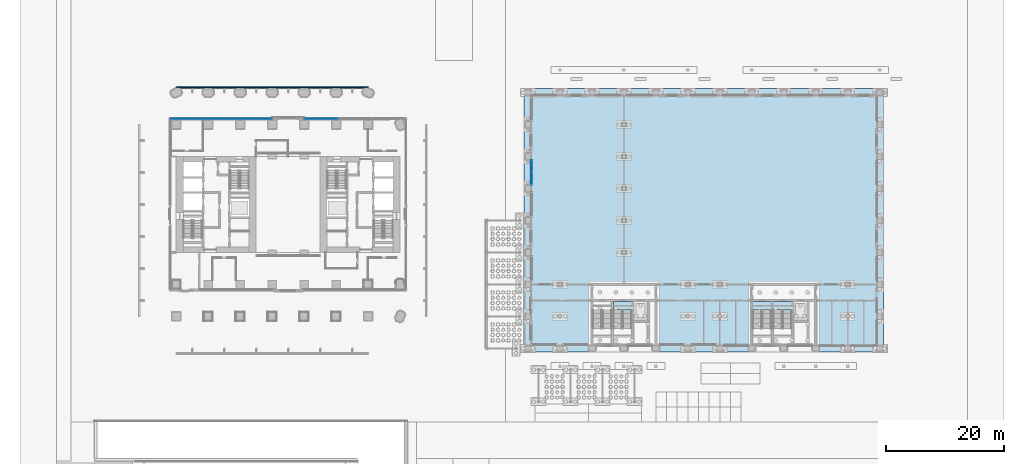
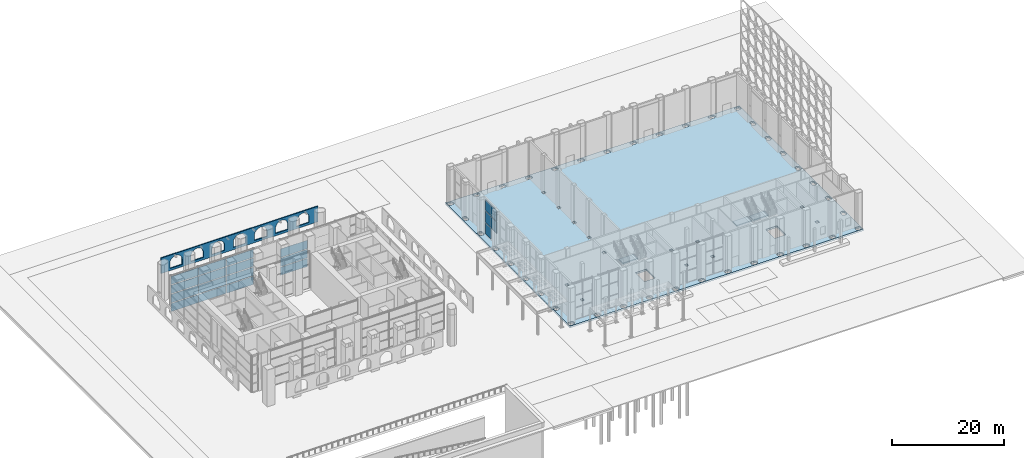
# One storey, part 25 of 54: 21 plates, 4 slabs, 6 elements without a shape of their own.
"""IFC4 building model written with IfcOpenShell, lengths in metres."""

from ifc_helpers import new_model, si_unit, direction, frame, origin, origin_2d, place, context, subcontext, project, spatial, polyline, rectangle, outline, extrude, material, layer, layer_set, type_object, element, aggregate, save


model = new_model("IFC4")

# Units and contexts
model_context = context("Model", 3, precision=1e-05, world=origin(), true_north=direction((0.0, 1.0)))
body_context = subcontext(model_context, "Body", "Model", "MODEL_VIEW")
ifc_project = project(units=[si_unit("LENGTHUNIT", "METRE"), si_unit("AREAUNIT", "SQUARE_METRE"), si_unit("VOLUMEUNIT", "CUBIC_METRE"), si_unit("PLANEANGLEUNIT", "RADIAN"), si_unit("MASSUNIT", "GRAM", prefix="KILO")], contexts=[model_context])

# Site, building, storey
site_placement = place(None, origin())
site = spatial("IfcSite", under=ifc_project, at=site_placement, CompositionType="ELEMENT")
building_placement = place(site_placement, origin())
building = spatial("IfcBuilding", under=site, at=building_placement, Name="Tabaq Tower and Sports Hall", CompositionType="ELEMENT")
storey_placement = place(building_placement, origin())
storey = spatial("IfcBuildingStorey", under=building, at=storey_placement, Name="L00", CompositionType="ELEMENT", Elevation=0.0)

# Curtain wall, plates
ifc_material_1 = material(Name="Aluminium alloy 6063-T6 framed glazing", Category="aluminium")
curtain_wall_type_1 = type_object("IfcCurtainWallType", Name="CW4 curtain wall", PredefinedType="USERDEFINED", material=ifc_material_1)
curtain_wall_1_placement = place(storey_placement, origin())
curtain_wall_1 = element("IfcCurtainWall", 1, at=curtain_wall_1_placement, inside=storey, type_object=curtain_wall_type_1, Name="Ground lobby wall N", ObjectType="GROUND LOBBY WALL", PredefinedType="USERDEFINED")
ifc_material_2 = material(Name="Clear low-emissivity glass 28 mm", Category="glass")
ifc_layer_1 = layer(ifc_material_2, 0.035888671875)
ifc_layer_set_1 = layer_set([ifc_layer_1], Name="CW4 glass panel 36")
plate_type_1 = type_object("IfcPlateType", Name="CW4 glass panel 36", PredefinedType="CURTAIN_PANEL", material=ifc_layer_set_1)
plate_1_placement = place(storey_placement, frame((7.28662109375, 38.800048828125, 0.16015625), z_axis=(0.0, 0.0, 1.0), x_axis=(1.0, 0.0, 0.0)))
plate_1 = element("IfcPlate", 2, at=plate_1_placement, type_object=plate_type_1, Name="CW4 panel 1.1", PredefinedType="CURTAIN_PANEL", context=body_context, shape_type="SweptSolid", body=[
    extrude(rectangle(XDim=5.61328125, YDim=0.035888671875, at=origin_2d()), origin(), (0.0, 0.0, 1.0), 1.760009765625),
])
plate_2_placement = place(storey_placement, frame((7.28662109375, 38.800048828125, 2.080078125), z_axis=(0.0, 0.0, 1.0), x_axis=(1.0, 0.0, 0.0)))
plate_2 = element("IfcPlate", 3, at=plate_2_placement, type_object=plate_type_1, Name="CW4 panel 1.2", PredefinedType="CURTAIN_PANEL", context=body_context, shape_type="SweptSolid", body=[
    extrude(rectangle(XDim=5.61328125, YDim=0.035888671875, at=origin_2d()), origin(), (0.0, 0.0, 1.0), 1.840087890625),
])
plate_3_placement = place(storey_placement, frame((7.28662109375, 38.800048828125, 4.080078125), z_axis=(0.0, 0.0, 1.0), x_axis=(1.0, 0.0, 0.0)))
plate_3 = element("IfcPlate", 4, at=plate_3_placement, type_object=plate_type_1, Name="CW4 panel 1.3", PredefinedType="CURTAIN_PANEL", context=body_context, shape_type="SweptSolid", body=[
    extrude(rectangle(XDim=5.61328125, YDim=0.035888671875, at=origin_2d()), origin(), (0.0, 0.0, 1.0), 1.840087890625),
])
plate_4_placement = place(storey_placement, frame((7.28662109375, 38.800048828125, 6.080078125), z_axis=(0.0, 0.0, 1.0), x_axis=(1.0, 0.0, 0.0)))
plate_4 = element("IfcPlate", 5, at=plate_4_placement, type_object=plate_type_1, Name="CW4 panel 1.4", PredefinedType="CURTAIN_PANEL", context=body_context, shape_type="SweptSolid", body=[
    extrude(rectangle(XDim=5.61328125, YDim=0.035888671875, at=origin_2d()), origin(), (0.0, 0.0, 1.0), 1.760009765625),
])
plate_5_placement = place(storey_placement, frame((13.0, 38.800048828125, 0.16015625), z_axis=(0.0, 0.0, 1.0), x_axis=(1.0, 0.0, 0.0)))
plate_5 = element("IfcPlate", 6, at=plate_5_placement, type_object=plate_type_1, Name="CW4 panel 2.1", PredefinedType="CURTAIN_PANEL", context=body_context, shape_type="SweptSolid", body=[
    extrude(rectangle(XDim=5.6533203125, YDim=0.035888671875, at=origin_2d()), origin(), (0.0, 0.0, 1.0), 1.760009765625),
])
plate_6_placement = place(storey_placement, frame((13.0, 38.800048828125, 2.080078125), z_axis=(0.0, 0.0, 1.0), x_axis=(1.0, 0.0, 0.0)))
plate_6 = element("IfcPlate", 7, at=plate_6_placement, type_object=plate_type_1, Name="CW4 panel 2.2", PredefinedType="CURTAIN_PANEL", context=body_context, shape_type="SweptSolid", body=[
    extrude(rectangle(XDim=5.6533203125, YDim=0.035888671875, at=origin_2d()), origin(), (0.0, 0.0, 1.0), 1.840087890625),
])
plate_7_placement = place(storey_placement, frame((13.0, 38.800048828125, 4.080078125), z_axis=(0.0, 0.0, 1.0), x_axis=(1.0, 0.0, 0.0)))
plate_7 = element("IfcPlate", 8, at=plate_7_placement, type_object=plate_type_1, Name="CW4 panel 2.3", PredefinedType="CURTAIN_PANEL", context=body_context, shape_type="SweptSolid", body=[
    extrude(rectangle(XDim=5.6533203125, YDim=0.035888671875, at=origin_2d()), origin(), (0.0, 0.0, 1.0), 1.840087890625),
])
plate_8_placement = place(storey_placement, frame((13.0, 38.800048828125, 6.080078125), z_axis=(0.0, 0.0, 1.0), x_axis=(1.0, 0.0, 0.0)))
plate_8 = element("IfcPlate", 9, at=plate_8_placement, type_object=plate_type_1, Name="CW4 panel 2.4", PredefinedType="CURTAIN_PANEL", context=body_context, shape_type="SweptSolid", body=[
    extrude(rectangle(XDim=5.6533203125, YDim=0.035888671875, at=origin_2d()), origin(), (0.0, 0.0, 1.0), 1.760009765625),
])
plate_9_placement = place(storey_placement, frame((18.71337890625, 38.800048828125, 0.16015625), z_axis=(0.0, 0.0, 1.0), x_axis=(1.0, 0.0, 0.0)))
plate_9 = element("IfcPlate", 10, at=plate_9_placement, type_object=plate_type_1, Name="CW4 panel 3.1", PredefinedType="CURTAIN_PANEL", context=body_context, shape_type="SweptSolid", body=[
    extrude(rectangle(XDim=5.61328125, YDim=0.035888671875, at=origin_2d()), origin(), (0.0, 0.0, 1.0), 1.760009765625),
])
plate_10_placement = place(storey_placement, frame((18.71337890625, 38.800048828125, 2.080078125), z_axis=(0.0, 0.0, 1.0), x_axis=(1.0, 0.0, 0.0)))
plate_10 = element("IfcPlate", 11, at=plate_10_placement, type_object=plate_type_1, Name="CW4 panel 3.2", PredefinedType="CURTAIN_PANEL", context=body_context, shape_type="SweptSolid", body=[
    extrude(rectangle(XDim=5.61328125, YDim=0.035888671875, at=origin_2d()), origin(), (0.0, 0.0, 1.0), 1.840087890625),
])
plate_11_placement = place(storey_placement, frame((18.71337890625, 38.800048828125, 4.080078125), z_axis=(0.0, 0.0, 1.0), x_axis=(1.0, 0.0, 0.0)))
plate_11 = element("IfcPlate", 12, at=plate_11_placement, type_object=plate_type_1, Name="CW4 panel 3.3", PredefinedType="CURTAIN_PANEL", context=body_context, shape_type="SweptSolid", body=[
    extrude(rectangle(XDim=5.61328125, YDim=0.035888671875, at=origin_2d()), origin(), (0.0, 0.0, 1.0), 1.840087890625),
])
plate_12_placement = place(storey_placement, frame((18.71337890625, 38.800048828125, 6.080078125), z_axis=(0.0, 0.0, 1.0), x_axis=(1.0, 0.0, 0.0)))
plate_12 = element("IfcPlate", 13, at=plate_12_placement, type_object=plate_type_1, Name="CW4 panel 3.4", PredefinedType="CURTAIN_PANEL", context=body_context, shape_type="SweptSolid", body=[
    extrude(rectangle(XDim=5.61328125, YDim=0.035888671875, at=origin_2d()), origin(), (0.0, 0.0, 1.0), 1.760009765625),
])
aggregate(curtain_wall_1, [plate_1, plate_2, plate_3, plate_4, plate_5, plate_6, plate_7, plate_8, plate_9, plate_10, plate_11, plate_12])

curtain_wall_2_placement = place(storey_placement, origin())
curtain_wall_2 = element("IfcCurtainWall", 14, at=curtain_wall_2_placement, inside=storey, type_object=curtain_wall_type_1, Name="Ground lobby wall N", ObjectType="GROUND LOBBY WALL", PredefinedType="USERDEFINED")
plate_13_placement = place(storey_placement, frame((29.88671875, 38.800048828125, 0.16015625), z_axis=(0.0, 0.0, 1.0), x_axis=(1.0, 0.0, 0.0)))
plate_13 = element("IfcPlate", 15, at=plate_13_placement, type_object=plate_type_1, Name="CW4 panel 1.1", PredefinedType="CURTAIN_PANEL", context=body_context, shape_type="SweptSolid", body=[
    extrude(rectangle(XDim=5.61328125, YDim=0.035888671875, at=origin_2d()), origin(), (0.0, 0.0, 1.0), 1.760009765625),
])
plate_14_placement = place(storey_placement, frame((29.88671875, 38.800048828125, 2.080078125), z_axis=(0.0, 0.0, 1.0), x_axis=(1.0, 0.0, 0.0)))
plate_14 = element("IfcPlate", 16, at=plate_14_placement, type_object=plate_type_1, Name="CW4 panel 1.2", PredefinedType="CURTAIN_PANEL", context=body_context, shape_type="SweptSolid", body=[
    extrude(rectangle(XDim=5.61328125, YDim=0.035888671875, at=origin_2d()), origin(), (0.0, 0.0, 1.0), 1.840087890625),
])
plate_15_placement = place(storey_placement, frame((29.88671875, 38.800048828125, 4.080078125), z_axis=(0.0, 0.0, 1.0), x_axis=(1.0, 0.0, 0.0)))
plate_15 = element("IfcPlate", 17, at=plate_15_placement, type_object=plate_type_1, Name="CW4 panel 1.3", PredefinedType="CURTAIN_PANEL", context=body_context, shape_type="SweptSolid", body=[
    extrude(rectangle(XDim=5.61328125, YDim=0.035888671875, at=origin_2d()), origin(), (0.0, 0.0, 1.0), 1.840087890625),
])
aggregate(curtain_wall_2, [plate_13, plate_14, plate_15])

ifc_material_3 = material(Name="Aluminium alloy 6063-T6 framed glazing", Category="aluminium")
curtain_wall_type_2 = type_object("IfcCurtainWallType", Name="CW6 curtain wall", PredefinedType="USERDEFINED", material=ifc_material_3)
curtain_wall_3_placement = place(storey_placement, origin())
curtain_wall_3 = element("IfcCurtainWall", 18, at=curtain_wall_3_placement, inside=storey, type_object=curtain_wall_type_2, Name="L00 W hall glazing run", ObjectType="HALL FACADE WALL", PredefinedType="USERDEFINED")
ifc_material_4 = material(Name="Clear low-emissivity glass 28 mm", Category="glass")
ifc_layer_2 = layer(ifc_material_4, 0.031982421875)
ifc_layer_set_2 = layer_set([ifc_layer_2], Name="CW6 glass panel 32")
plate_type_2 = type_object("IfcPlateType", Name="CW6 glass panel 32", PredefinedType="CURTAIN_PANEL", material=ifc_layer_set_2)
plate_16_placement = place(storey_placement, frame((65.39990234375, 28.66748046875, 2.679931640625), z_axis=(0.0, 0.0, 1.0), x_axis=(0.0, 1.0, 0.0)))
plate_16 = element("IfcPlate", 19, at=plate_16_placement, type_object=plate_type_2, Name="CW6 panel 1.2", PredefinedType="CURTAIN_PANEL", context=body_context, shape_type="SweptSolid", body=[
    extrude(rectangle(XDim=1.9951171875, YDim=0.031982421875, at=origin_2d()), origin(), (0.0, 0.0, 1.0), 2.43994140625),
])
plate_17_placement = place(storey_placement, frame((65.39990234375, 28.66748046875, 5.27978515625), z_axis=(0.0, 0.0, 1.0), x_axis=(0.0, 1.0, 0.0)))
plate_17 = element("IfcPlate", 20, at=plate_17_placement, type_object=plate_type_2, Name="CW6 panel 1.3", PredefinedType="CURTAIN_PANEL", context=body_context, shape_type="SweptSolid", body=[
    extrude(rectangle(XDim=1.9951171875, YDim=0.031982421875, at=origin_2d()), origin(), (0.0, 0.0, 1.0), 2.360107421875),
])
plate_18_placement = place(storey_placement, frame((65.39990234375, 30.732421875, 0.16015625), z_axis=(0.0, 0.0, 1.0), x_axis=(0.0, 1.0, 0.0)))
plate_18 = element("IfcPlate", 21, at=plate_18_placement, type_object=plate_type_2, Name="CW6 panel 2.1", PredefinedType="CURTAIN_PANEL", context=body_context, shape_type="SweptSolid", body=[
    extrude(rectangle(XDim=1.9951171875, YDim=0.031982421875, at=origin_2d()), origin(), (0.0, 0.0, 1.0), 2.360107421875),
])
plate_19_placement = place(storey_placement, frame((65.39990234375, 30.732421875, 2.679931640625), z_axis=(0.0, 0.0, 1.0), x_axis=(0.0, 1.0, 0.0)))
plate_19 = element("IfcPlate", 22, at=plate_19_placement, type_object=plate_type_2, Name="CW6 panel 2.2", PredefinedType="CURTAIN_PANEL", context=body_context, shape_type="SweptSolid", body=[
    extrude(rectangle(XDim=1.9951171875, YDim=0.031982421875, at=origin_2d()), origin(), (0.0, 0.0, 1.0), 2.43994140625),
])
plate_20_placement = place(storey_placement, frame((65.39990234375, 30.732421875, 5.27978515625), z_axis=(0.0, 0.0, 1.0), x_axis=(0.0, 1.0, 0.0)))
plate_20 = element("IfcPlate", 23, at=plate_20_placement, type_object=plate_type_2, Name="CW6 panel 2.3", PredefinedType="CURTAIN_PANEL", context=body_context, shape_type="SweptSolid", body=[
    extrude(rectangle(XDim=1.9951171875, YDim=0.031982421875, at=origin_2d()), origin(), (0.0, 0.0, 1.0), 2.360107421875),
])
aggregate(curtain_wall_3, [plate_16, plate_17, plate_18, plate_19, plate_20])

# Slab
ifc_material_5 = material(Name="Concrete C40/50", Category="concrete")
ifc_layer_3 = layer(ifc_material_5, 0.39990234375)
ifc_layer_set_3 = layer_set([ifc_layer_3], Name="HALL GROUND SLAB 400 C40/50")
slab_type_1 = type_object("IfcSlabType", Name="HALL GROUND SLAB 400 C40/50", PredefinedType="BASESLAB", material=ifc_layer_set_3)
slab_1_placement = place(storey_placement, frame((0.0, 0.0, -0.39990234375)))
element("IfcSlab", 24, at=slab_1_placement, inside=storey, type_object=slab_type_1, Name="Ground floor slab on grade", PredefinedType="BASESLAB", context=body_context, shape_type="SweptSolid", body=[
    extrude(outline(polyline([(64.14990234375, -0.64990234375), (124.85009765625, -0.64990234375), (124.85009765625, 43.85009765625), (64.14990234375, 43.85009765625), (64.14990234375, -0.64990234375)]), holes=[polyline([(64.39990234375, -0.449951171875), (65.199951171875, -0.449951171875), (65.39990234375, -0.25), (65.39990234375, 0.25), (65.199951171875, 0.449951171875), (64.39990234375, 0.449951171875), (64.199951171875, 0.25), (64.199951171875, -0.25), (64.39990234375, -0.449951171875)]), polyline([(65.25, 5.0), (65.25, 5.800048828125), (65.050048828125, 6.0), (64.550048828125, 6.0), (64.35009765625, 5.800048828125), (64.35009765625, 5.0), (64.550048828125, 4.800048828125), (65.050048828125, 4.800048828125), (65.25, 5.0)]), polyline([(65.25, 10.39990234375), (65.25, 11.199951171875), (65.050048828125, 11.39990234375), (64.550048828125, 11.39990234375), (64.35009765625, 11.199951171875), (64.35009765625, 10.39990234375), (64.550048828125, 10.199951171875), (65.050048828125, 10.199951171875), (65.25, 10.39990234375)]), polyline([(65.25, 15.800048828125), (65.25, 16.60009765625), (65.050048828125, 16.800048828125), (64.550048828125, 16.800048828125), (64.35009765625, 16.60009765625), (64.35009765625, 15.800048828125), (64.550048828125, 15.60009765625), (65.050048828125, 15.60009765625), (65.25, 15.800048828125)]), polyline([(65.25, 21.199951171875), (65.25, 22.0), (65.050048828125, 22.199951171875), (64.550048828125, 22.199951171875), (64.35009765625, 22.0), (64.35009765625, 21.199951171875), (64.550048828125, 21.0), (65.050048828125, 21.0), (65.25, 21.199951171875)]), polyline([(65.25, 26.60009765625), (65.25, 27.39990234375), (65.050048828125, 27.60009765625), (64.550048828125, 27.60009765625), (64.35009765625, 27.39990234375), (64.35009765625, 26.60009765625), (64.550048828125, 26.39990234375), (65.050048828125, 26.39990234375), (65.25, 26.60009765625)]), polyline([(65.25, 32.0), (65.25, 32.800048828125), (65.050048828125, 33.0), (64.550048828125, 33.0), (64.35009765625, 32.800048828125), (64.35009765625, 32.0), (64.550048828125, 31.800048828125), (65.050048828125, 31.800048828125), (65.25, 32.0)]), polyline([(65.25, 37.39990234375), (65.25, 38.199951171875), (65.050048828125, 38.39990234375), (64.550048828125, 38.39990234375), (64.35009765625, 38.199951171875), (64.35009765625, 37.39990234375), (64.550048828125, 37.199951171875), (65.050048828125, 37.199951171875), (65.25, 37.39990234375)]), polyline([(64.39990234375, 42.75), (65.199951171875, 42.75), (65.39990234375, 42.949951171875), (65.39990234375, 43.449951171875), (65.199951171875, 43.64990234375), (64.39990234375, 43.64990234375), (64.199951171875, 43.449951171875), (64.199951171875, 42.949951171875), (64.39990234375, 42.75)]), polyline([(69.800048828125, -0.449951171875), (70.60009765625, -0.449951171875), (70.800048828125, -0.25), (70.800048828125, 0.25), (70.60009765625, 0.449951171875), (69.800048828125, 0.449951171875), (69.60009765625, 0.25), (69.60009765625, -0.25), (69.800048828125, -0.449951171875)]), polyline([(69.89990234375, 5.10009765625), (70.5, 5.10009765625), (70.5, 5.699951171875), (69.89990234375, 5.699951171875), (69.89990234375, 5.10009765625)]), polyline([(69.89990234375, 10.5), (70.5, 10.5), (70.5, 11.10009765625), (69.89990234375, 11.10009765625), (69.89990234375, 10.5)]), polyline([(69.800048828125, 42.75), (70.60009765625, 42.75), (70.800048828125, 42.949951171875), (70.800048828125, 43.449951171875), (70.60009765625, 43.64990234375), (69.800048828125, 43.64990234375), (69.60009765625, 43.449951171875), (69.60009765625, 42.949951171875), (69.800048828125, 42.75)]), polyline([(75.199951171875, -0.449951171875), (76.0, -0.449951171875), (76.199951171875, -0.25), (76.199951171875, 0.25), (76.0, 0.449951171875), (75.199951171875, 0.449951171875), (75.0, 0.25), (75.0, -0.25), (75.199951171875, -0.449951171875)]), polyline([(75.199951171875, 42.75), (76.0, 42.75), (76.199951171875, 42.949951171875), (76.199951171875, 43.449951171875), (76.0, 43.64990234375), (75.199951171875, 43.64990234375), (75.0, 43.449951171875), (75.0, 42.949951171875), (75.199951171875, 42.75)]), polyline([(80.60009765625, -0.449951171875), (81.39990234375, -0.449951171875), (81.60009765625, -0.25), (81.60009765625, 0.25), (81.39990234375, 0.449951171875), (80.60009765625, 0.449951171875), (80.39990234375, 0.25), (80.39990234375, -0.25), (80.60009765625, -0.449951171875)]), polyline([(80.699951171875, 15.89990234375), (81.300048828125, 15.89990234375), (81.300048828125, 16.5), (80.699951171875, 16.5), (80.699951171875, 15.89990234375)]), polyline([(80.699951171875, 21.300048828125), (81.300048828125, 21.300048828125), (81.300048828125, 21.89990234375), (80.699951171875, 21.89990234375), (80.699951171875, 21.300048828125)]), polyline([(80.699951171875, 26.699951171875), (81.300048828125, 26.699951171875), (81.300048828125, 27.300048828125), (80.699951171875, 27.300048828125), (80.699951171875, 26.699951171875)]), polyline([(80.699951171875, 32.10009765625), (81.300048828125, 32.10009765625), (81.300048828125, 32.699951171875), (80.699951171875, 32.699951171875), (80.699951171875, 32.10009765625)]), polyline([(80.699951171875, 37.5), (81.300048828125, 37.5), (81.300048828125, 38.10009765625), (80.699951171875, 38.10009765625), (80.699951171875, 37.5)]), polyline([(80.60009765625, 42.75), (81.39990234375, 42.75), (81.60009765625, 42.949951171875), (81.60009765625, 43.449951171875), (81.39990234375, 43.64990234375), (80.60009765625, 43.64990234375), (80.39990234375, 43.449951171875), (80.39990234375, 42.949951171875), (80.60009765625, 42.75)]), polyline([(86.0, -0.449951171875), (86.800048828125, -0.449951171875), (87.0, -0.25), (87.0, 0.25), (86.800048828125, 0.449951171875), (86.0, 0.449951171875), (85.800048828125, 0.25), (85.800048828125, -0.25), (86.0, -0.449951171875)]), polyline([(86.0, 42.75), (86.800048828125, 42.75), (87.0, 42.949951171875), (87.0, 43.449951171875), (86.800048828125, 43.64990234375), (86.0, 43.64990234375), (85.800048828125, 43.449951171875), (85.800048828125, 42.949951171875), (86.0, 42.75)]), polyline([(91.39990234375, -0.449951171875), (92.199951171875, -0.449951171875), (92.39990234375, -0.25), (92.39990234375, 0.25), (92.199951171875, 0.449951171875), (91.39990234375, 0.449951171875), (91.199951171875, 0.25), (91.199951171875, -0.25), (91.39990234375, -0.449951171875)]), polyline([(91.5, 5.10009765625), (92.10009765625, 5.10009765625), (92.10009765625, 5.699951171875), (91.5, 5.699951171875), (91.5, 5.10009765625)]), polyline([(91.5, 10.5), (92.10009765625, 10.5), (92.10009765625, 11.10009765625), (91.5, 11.10009765625), (91.5, 10.5)]), polyline([(91.39990234375, 42.75), (92.199951171875, 42.75), (92.39990234375, 42.949951171875), (92.39990234375, 43.449951171875), (92.199951171875, 43.64990234375), (91.39990234375, 43.64990234375), (91.199951171875, 43.449951171875), (91.199951171875, 42.949951171875), (91.39990234375, 42.75)]), polyline([(96.800048828125, -0.449951171875), (97.60009765625, -0.449951171875), (97.800048828125, -0.25), (97.800048828125, 0.25), (97.60009765625, 0.449951171875), (96.800048828125, 0.449951171875), (96.60009765625, 0.25), (96.60009765625, -0.25), (96.800048828125, -0.449951171875)]), polyline([(96.89990234375, 5.10009765625), (97.5, 5.10009765625), (97.5, 5.699951171875), (96.89990234375, 5.699951171875), (96.89990234375, 5.10009765625)]), polyline([(96.89990234375, 10.5), (97.5, 10.5), (97.5, 11.10009765625), (96.89990234375, 11.10009765625), (96.89990234375, 10.5)]), polyline([(96.800048828125, 42.75), (97.60009765625, 42.75), (97.800048828125, 42.949951171875), (97.800048828125, 43.449951171875), (97.60009765625, 43.64990234375), (96.800048828125, 43.64990234375), (96.60009765625, 43.449951171875), (96.60009765625, 42.949951171875), (96.800048828125, 42.75)]), polyline([(102.199951171875, -0.449951171875), (103.0, -0.449951171875), (103.199951171875, -0.25), (103.199951171875, 0.25), (103.0, 0.449951171875), (102.199951171875, 0.449951171875), (102.0, 0.25), (102.0, -0.25), (102.199951171875, -0.449951171875)]), polyline([(102.199951171875, 42.75), (103.0, 42.75), (103.199951171875, 42.949951171875), (103.199951171875, 43.449951171875), (103.0, 43.64990234375), (102.199951171875, 43.64990234375), (102.0, 43.449951171875), (102.0, 42.949951171875), (102.199951171875, 42.75)]), polyline([(107.60009765625, -0.449951171875), (108.39990234375, -0.449951171875), (108.60009765625, -0.25), (108.60009765625, 0.25), (108.39990234375, 0.449951171875), (107.60009765625, 0.449951171875), (107.39990234375, 0.25), (107.39990234375, -0.25), (107.60009765625, -0.449951171875)]), polyline([(107.60009765625, 42.75), (108.39990234375, 42.75), (108.60009765625, 42.949951171875), (108.60009765625, 43.449951171875), (108.39990234375, 43.64990234375), (107.60009765625, 43.64990234375), (107.39990234375, 43.449951171875), (107.39990234375, 42.949951171875), (107.60009765625, 42.75)]), polyline([(113.0, -0.449951171875), (113.800048828125, -0.449951171875), (114.0, -0.25), (114.0, 0.25), (113.800048828125, 0.449951171875), (113.0, 0.449951171875), (112.800048828125, 0.25), (112.800048828125, -0.25), (113.0, -0.449951171875)]), polyline([(113.0, 42.75), (113.800048828125, 42.75), (114.0, 42.949951171875), (114.0, 43.449951171875), (113.800048828125, 43.64990234375), (113.0, 43.64990234375), (112.800048828125, 43.449951171875), (112.800048828125, 42.949951171875), (113.0, 42.75)]), polyline([(118.39990234375, -0.449951171875), (119.199951171875, -0.449951171875), (119.39990234375, -0.25), (119.39990234375, 0.25), (119.199951171875, 0.449951171875), (118.39990234375, 0.449951171875), (118.199951171875, 0.25), (118.199951171875, -0.25), (118.39990234375, -0.449951171875)]), polyline([(118.5, 5.10009765625), (119.10009765625, 5.10009765625), (119.10009765625, 5.699951171875), (118.5, 5.699951171875), (118.5, 5.10009765625)]), polyline([(118.5, 10.5), (119.10009765625, 10.5), (119.10009765625, 11.10009765625), (118.5, 11.10009765625), (118.5, 10.5)]), polyline([(118.39990234375, 42.75), (119.199951171875, 42.75), (119.39990234375, 42.949951171875), (119.39990234375, 43.449951171875), (119.199951171875, 43.64990234375), (118.39990234375, 43.64990234375), (118.199951171875, 43.449951171875), (118.199951171875, 42.949951171875), (118.39990234375, 42.75)]), polyline([(123.800048828125, -0.449951171875), (124.60009765625, -0.449951171875), (124.800048828125, -0.25), (124.800048828125, 0.25), (124.60009765625, 0.449951171875), (123.800048828125, 0.449951171875), (123.60009765625, 0.25), (123.60009765625, -0.25), (123.800048828125, -0.449951171875)]), polyline([(124.64990234375, 5.0), (124.64990234375, 5.800048828125), (124.449951171875, 6.0), (123.949951171875, 6.0), (123.75, 5.800048828125), (123.75, 5.0), (123.949951171875, 4.800048828125), (124.449951171875, 4.800048828125), (124.64990234375, 5.0)]), polyline([(124.64990234375, 10.39990234375), (124.64990234375, 11.199951171875), (124.449951171875, 11.39990234375), (123.949951171875, 11.39990234375), (123.75, 11.199951171875), (123.75, 10.39990234375), (123.949951171875, 10.199951171875), (124.449951171875, 10.199951171875), (124.64990234375, 10.39990234375)]), polyline([(124.64990234375, 15.800048828125), (124.64990234375, 16.60009765625), (124.449951171875, 16.800048828125), (123.949951171875, 16.800048828125), (123.75, 16.60009765625), (123.75, 15.800048828125), (123.949951171875, 15.60009765625), (124.449951171875, 15.60009765625), (124.64990234375, 15.800048828125)]), polyline([(124.64990234375, 21.199951171875), (124.64990234375, 22.0), (124.449951171875, 22.199951171875), (123.949951171875, 22.199951171875), (123.75, 22.0), (123.75, 21.199951171875), (123.949951171875, 21.0), (124.449951171875, 21.0), (124.64990234375, 21.199951171875)]), polyline([(124.64990234375, 26.60009765625), (124.64990234375, 27.39990234375), (124.449951171875, 27.60009765625), (123.949951171875, 27.60009765625), (123.75, 27.39990234375), (123.75, 26.60009765625), (123.949951171875, 26.39990234375), (124.449951171875, 26.39990234375), (124.64990234375, 26.60009765625)]), polyline([(124.64990234375, 32.0), (124.64990234375, 32.800048828125), (124.449951171875, 33.0), (123.949951171875, 33.0), (123.75, 32.800048828125), (123.75, 32.0), (123.949951171875, 31.800048828125), (124.449951171875, 31.800048828125), (124.64990234375, 32.0)]), polyline([(124.64990234375, 37.39990234375), (124.64990234375, 38.199951171875), (124.449951171875, 38.39990234375), (123.949951171875, 38.39990234375), (123.75, 38.199951171875), (123.75, 37.39990234375), (123.949951171875, 37.199951171875), (124.449951171875, 37.199951171875), (124.64990234375, 37.39990234375)]), polyline([(123.800048828125, 42.75), (124.60009765625, 42.75), (124.800048828125, 42.949951171875), (124.800048828125, 43.449951171875), (124.60009765625, 43.64990234375), (123.800048828125, 43.64990234375), (123.60009765625, 43.449951171875), (123.60009765625, 42.949951171875), (123.800048828125, 42.75)]), polyline([(82.64990234375, 4.75), (84.949951171875, 4.75), (84.949951171875, 7.949951171875), (82.64990234375, 7.949951171875), (82.64990234375, 4.75)]), polyline([(109.64990234375, 4.75), (111.949951171875, 4.75), (111.949951171875, 7.949951171875), (109.64990234375, 7.949951171875), (109.64990234375, 4.75)])]), origin(), (0.0, 0.0, 1.0), 0.39990234375),
])

# Stair, slab
ifc_material_6 = material(Name="Concrete C40/50", Category="concrete")
stair_type = type_object("IfcStairType", Name="HALL STAIR HALF-TURN", PredefinedType="HALF_TURN_STAIR", material=ifc_material_6)
stair_1_placement = place(storey_placement, origin())
stair_1 = element("IfcStair", 25, at=stair_1_placement, inside=storey, type_object=stair_type, Name="L00 Stair H2", PredefinedType="HALF_TURN_STAIR")
ifc_material_7 = material(Name="Concrete C40/50", Category="concrete")
ifc_layer_4 = layer(ifc_material_7, 0.199951171875)
ifc_layer_set_4 = layer_set([ifc_layer_4], Name="HALL STAIR LANDING 200")
slab_type_2 = type_object("IfcSlabType", Name="HALL STAIR LANDING 200", PredefinedType="LANDING", material=ifc_layer_set_4)
slab_2_placement = place(storey_placement, frame((0.0, 0.0, 4.0)))
slab_2 = element("IfcSlab", 26, at=slab_2_placement, type_object=slab_type_2, Name="ST-H2 landing 2", PredefinedType="LANDING", context=body_context, shape_type="SweptSolid", body=[
    extrude(outline(polyline([(79.199951171875, 7.949951171875), (79.199951171875, 6.449951171875), (82.35009765625, 6.449951171875), (82.35009765625, 7.949951171875), (79.199951171875, 7.949951171875)])), origin(), (0.0, 0.0, 1.0), 0.199951171875),
])
aggregate(stair_1, [slab_2])

stair_2_placement = place(storey_placement, origin())
stair_2 = element("IfcStair", 27, at=stair_2_placement, inside=storey, type_object=stair_type, Name="L00 Stair H3", PredefinedType="HALF_TURN_STAIR")
slab_3_placement = place(storey_placement, frame((0.0, 0.0, 4.0)))
slab_3 = element("IfcSlab", 28, at=slab_3_placement, type_object=slab_type_2, Name="ST-H3 landing 2", PredefinedType="LANDING", context=body_context, shape_type="SweptSolid", body=[
    extrude(outline(polyline([(102.75, 7.949951171875), (102.75, 6.449951171875), (105.89990234375, 6.449951171875), (105.89990234375, 7.949951171875), (102.75, 7.949951171875)])), origin(), (0.0, 0.0, 1.0), 0.199951171875),
])
aggregate(stair_2, [slab_3])

stair_3_placement = place(storey_placement, origin())
stair_3 = element("IfcStair", 29, at=stair_3_placement, inside=storey, type_object=stair_type, Name="L00 Stair H4", PredefinedType="HALF_TURN_STAIR")
slab_4_placement = place(storey_placement, frame((0.0, 0.0, 4.0)))
slab_4 = element("IfcSlab", 30, at=slab_4_placement, type_object=slab_type_2, Name="ST-H4 landing 2", PredefinedType="LANDING", context=body_context, shape_type="SweptSolid", body=[
    extrude(outline(polyline([(106.199951171875, 7.949951171875), (106.199951171875, 6.449951171875), (109.35009765625, 6.449951171875), (109.35009765625, 7.949951171875), (106.199951171875, 7.949951171875)])), origin(), (0.0, 0.0, 1.0), 0.199951171875),
])
aggregate(stair_3, [slab_4])

# Plate
ifc_material_8 = material(Name="White precast concrete C60/75 pierced screen", Category="concrete")
ifc_layer_5 = layer(ifc_material_8, 0.199951171875)
ifc_layer_set_5 = layer_set([ifc_layer_5], Name="White precast concrete C60/75 arcade screen 200")
plate_type_3 = type_object("IfcPlateType", Name="White precast concrete C60/75 arcade screen 200", PredefinedType="USERDEFINED", material=ifc_layer_set_5)
plate_21_placement = place(storey_placement, frame((37.800048828125, 44.050048828125, 5.0), z_axis=(0.0, 0.0, 1.0), x_axis=(-1.0, 0.0, 0.0)))
element("IfcPlate", 31, at=plate_21_placement, inside=storey, type_object=plate_type_3, Name="Arcade screen N", ObjectType="SCREEN", PredefinedType="USERDEFINED", context=body_context, shape_type="SweptSolid", body=[
    extrude(outline(polyline([(0.0, 0.0), (32.400146484375, 0.0), (32.400146484375, 3.39990234375), (0.0, 3.39990234375), (0.0, 0.0)]), holes=[polyline([(1.800048828125, 0.5), (4.371337890625, 0.5), (4.371337890625, 1.60009765625), (4.34716796875, 1.859375), (4.275634765625, 2.10986328125), (4.158935546875, 2.343017578125), (4.001220703125, 2.55029296875), (3.807861328125, 2.72509765625), (3.585693359375, 2.861328125), (3.34228515625, 2.953857421875), (3.085693359375, 3.0), (2.829345703125, 2.953857421875), (2.585693359375, 2.861328125), (2.363525390625, 2.72509765625), (2.170166015625, 2.55029296875), (2.012451171875, 2.343017578125), (1.895751953125, 2.10986328125), (1.82421875, 1.859375), (1.800048828125, 1.60009765625), (1.800048828125, 0.5)]), polyline([(6.17138671875, 0.5), (8.742919921875, 0.5), (8.742919921875, 1.60009765625), (8.71875, 1.859375), (8.64697265625, 2.10986328125), (8.5302734375, 2.343017578125), (8.37255859375, 2.55029296875), (8.179443359375, 2.72509765625), (7.95703125, 2.861328125), (7.713623046875, 2.953857421875), (7.45703125, 3.0), (7.20068359375, 2.953857421875), (6.95703125, 2.861328125), (6.73486328125, 2.72509765625), (6.54150390625, 2.55029296875), (6.384033203125, 2.343017578125), (6.267333984375, 2.10986328125), (6.195556640625, 1.859375), (6.17138671875, 1.60009765625), (6.17138671875, 0.5)]), polyline([(10.54296875, 0.5), (13.1142578125, 0.5), (13.1142578125, 1.60009765625), (13.090087890625, 1.859375), (13.0185546875, 2.10986328125), (12.90185546875, 2.343017578125), (12.744140625, 2.55029296875), (12.55078125, 2.72509765625), (12.32861328125, 2.861328125), (12.0849609375, 2.953857421875), (11.82861328125, 3.0), (11.572021484375, 2.953857421875), (11.32861328125, 2.861328125), (11.1064453125, 2.72509765625), (10.9130859375, 2.55029296875), (10.75537109375, 2.343017578125), (10.638671875, 2.10986328125), (10.567138671875, 1.859375), (10.54296875, 1.60009765625), (10.54296875, 0.5)]), polyline([(14.914306640625, 0.5), (17.485595703125, 0.5), (17.485595703125, 1.60009765625), (17.461669921875, 1.859375), (17.389892578125, 2.10986328125), (17.273193359375, 2.343017578125), (17.115478515625, 2.55029296875), (16.922119140625, 2.72509765625), (16.699951171875, 2.861328125), (16.45654296875, 2.953857421875), (16.199951171875, 3.0), (15.943603515625, 2.953857421875), (15.699951171875, 2.861328125), (15.477783203125, 2.72509765625), (15.284423828125, 2.55029296875), (15.126708984375, 2.343017578125), (15.010009765625, 2.10986328125), (14.9384765625, 1.859375), (14.914306640625, 1.60009765625), (14.914306640625, 0.5)]), polyline([(19.28564453125, 0.5), (21.857177734375, 0.5), (21.857177734375, 1.60009765625), (21.8330078125, 1.859375), (21.76123046875, 2.10986328125), (21.64453125, 2.343017578125), (21.487060546875, 2.55029296875), (21.293701171875, 2.72509765625), (21.071533203125, 2.861328125), (20.827880859375, 2.953857421875), (20.571533203125, 3.0), (20.31494140625, 2.953857421875), (20.071533203125, 2.861328125), (19.84912109375, 2.72509765625), (19.656005859375, 2.55029296875), (19.498291015625, 2.343017578125), (19.381591796875, 2.10986328125), (19.309814453125, 1.859375), (19.28564453125, 1.60009765625), (19.28564453125, 0.5)]), polyline([(23.6572265625, 0.5), (26.228515625, 0.5), (26.228515625, 1.60009765625), (26.204345703125, 1.859375), (26.1328125, 2.10986328125), (26.01611328125, 2.343017578125), (25.8583984375, 2.55029296875), (25.6650390625, 2.72509765625), (25.44287109375, 2.861328125), (25.19921875, 2.953857421875), (24.94287109375, 3.0), (24.686279296875, 2.953857421875), (24.44287109375, 2.861328125), (24.220703125, 2.72509765625), (24.02734375, 2.55029296875), (23.86962890625, 2.343017578125), (23.7529296875, 2.10986328125), (23.681396484375, 1.859375), (23.6572265625, 1.60009765625), (23.6572265625, 0.5)]), polyline([(28.028564453125, 0.5), (30.60009765625, 0.5), (30.60009765625, 1.60009765625), (30.575927734375, 1.859375), (30.504150390625, 2.10986328125), (30.387451171875, 2.343017578125), (30.229736328125, 2.55029296875), (30.03662109375, 2.72509765625), (29.814208984375, 2.861328125), (29.57080078125, 2.953857421875), (29.314208984375, 3.0), (29.057861328125, 2.953857421875), (28.814208984375, 2.861328125), (28.592041015625, 2.72509765625), (28.398681640625, 2.55029296875), (28.240966796875, 2.343017578125), (28.124267578125, 2.10986328125), (28.052734375, 1.859375), (28.028564453125, 1.60009765625), (28.028564453125, 0.5)])]), frame((0.0, 0.10009765625, 0.0), z_axis=(0.0, -1.0, 0.0), x_axis=(1.0, 0.0, 0.0)), (0.0, 0.0, 1.0), 0.199951171875),
])

save(model, "model.ifc")
